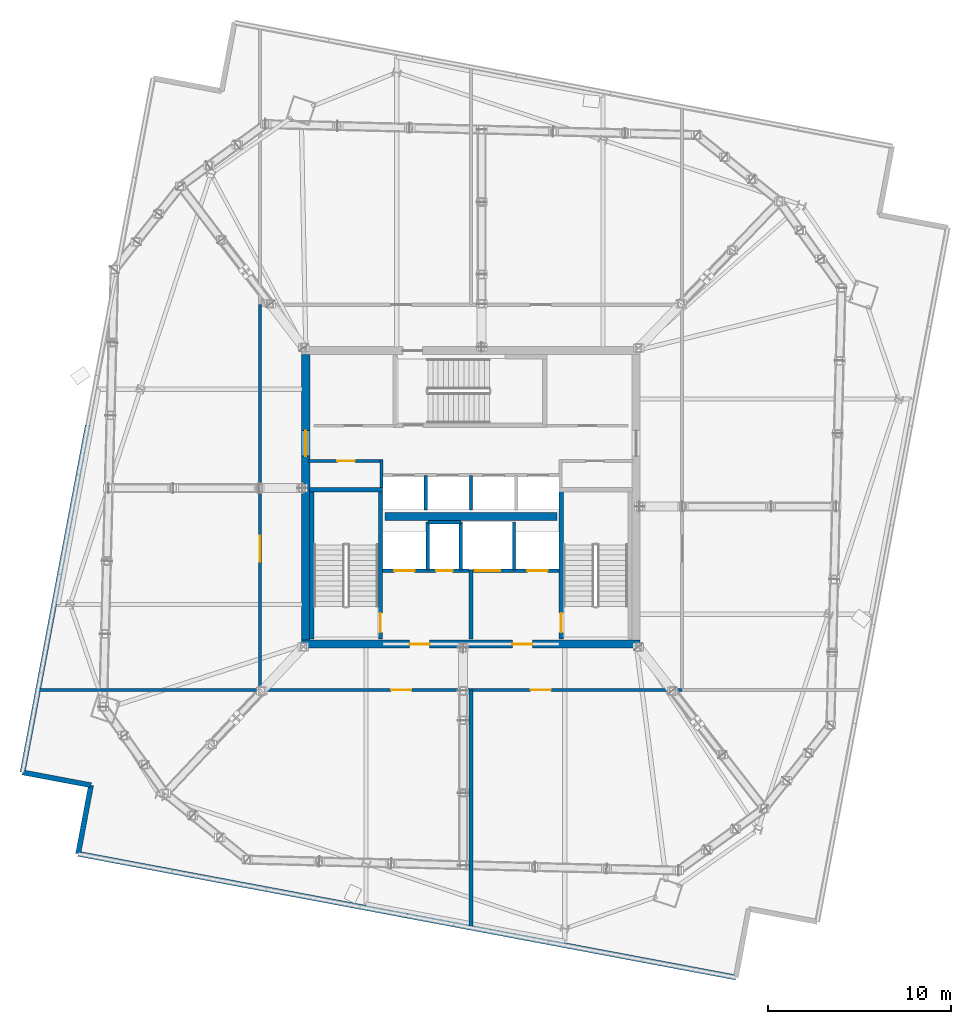
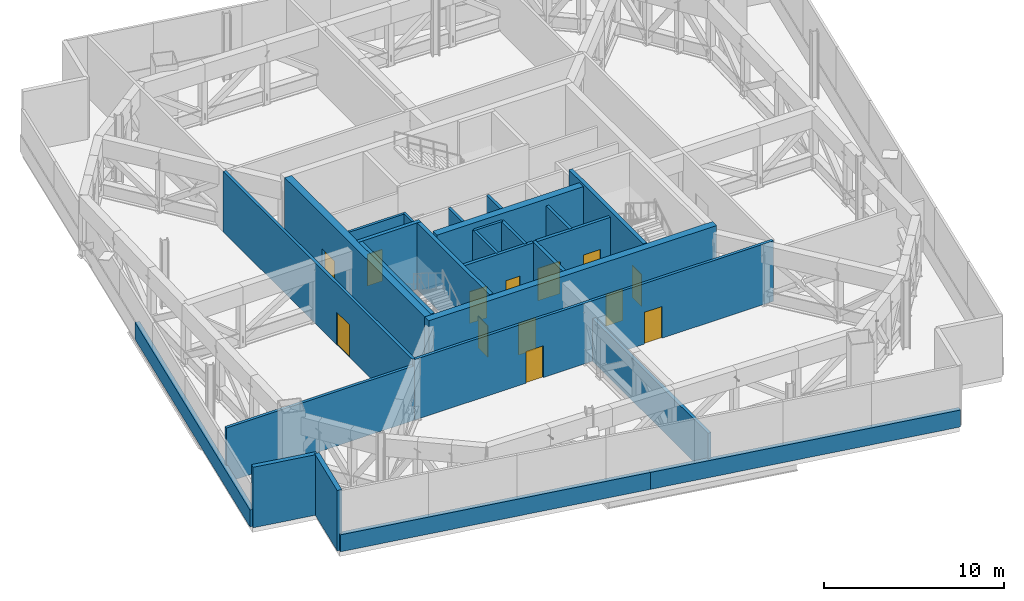
# One storey, part 10 of 15: 27 walls, 13 doors, 13 openings.
"""IFC4 building model written with IfcOpenShell, lengths in metres."""

from ifc_helpers import new_model, si_unit, direction, frame, frame_2d, origin, place, context, subcontext, project, spatial, rectangle, extrude, material, layer, layer_set, type_object, element, fill, save


model = new_model("IFC4")

# Units and contexts
model_context = context("Model", 3, precision=1e-05, world=origin(), true_north=direction((0.0, 1.0)))
body_context = subcontext(model_context, "Body", "Model", "MODEL_VIEW")
ifc_project = project(units=[si_unit("LENGTHUNIT", "METRE"), si_unit("AREAUNIT", "SQUARE_METRE"), si_unit("VOLUMEUNIT", "CUBIC_METRE"), si_unit("PLANEANGLEUNIT", "RADIAN"), si_unit("MASSUNIT", "GRAM", prefix="KILO")], contexts=[model_context])

# Site, building, storey
site_placement = place(None, origin())
site = spatial("IfcSite", under=ifc_project, at=site_placement, CompositionType="ELEMENT")
building_placement = place(site_placement, origin())
building = spatial("IfcBuilding", under=site, at=building_placement, Name="Haldenkirk Collegiate Tower", CompositionType="ELEMENT")
storey_placement = place(building_placement, frame((0.0, 0.0, 293.699951171875)))
storey = spatial("IfcBuildingStorey", under=building, at=storey_placement, Name="L74", CompositionType="ELEMENT", Elevation=293.699951171875)

# Wall, openings, doors
ifc_material_1 = material(Name="Concrete f'c 55 MPa", Category="concrete")
ifc_layer_1 = layer(ifc_material_1, 0.449951171875)
ifc_layer_set_1 = layer_set([ifc_layer_1], Name="Concrete f'c 55 MPa")
wall_type_1 = type_object("IfcWallType", Name="WL-CORE-450", PredefinedType="SHEAR", material=ifc_layer_set_1)
wall_1_placement = place(storey_placement, frame((26.77490234375, 18.0, 0.0), z_axis=(0.0, 0.0, 1.0), x_axis=(1.0, 0.0, 0.0)))
wall_1 = element("IfcWall", 1, at=wall_1_placement, inside=storey, type_object=wall_type_1, Name="L74 central core shear wall S", PredefinedType="SHEAR", context=body_context, shape_type="SweptSolid", body=[
    extrude(rectangle(XDim=18.4501953125, YDim=0.449951171875, at=frame_2d((9.22509765625, 0.0))), origin(), (0.0, 0.0, 1.0), 4.5),
])
opening_1_placement = place(wall_1_placement, frame((5.875, 0.0, 0.0)))
opening_1 = element("IfcOpeningElement", 2, at=opening_1_placement, cuts=wall_1, Name="Opening D-02", PredefinedType="OPENING", context=body_context, shape_type="SweptSolid", body=[
    extrude(rectangle(XDim=1.10009765625, YDim=2.14990234375, at=frame_2d((0.550048828125, 1.074951171875))), frame((0.0, 0.23486328125, 0.0), z_axis=(0.0, -1.0, 0.0), x_axis=(1.0, 0.0, 0.0)), (0.0, 0.0, 1.0), 0.469970703125),
])
opening_2_placement = place(wall_1_placement, frame((11.47509765625, 0.0, 0.0)))
opening_2 = element("IfcOpeningElement", 3, at=opening_2_placement, cuts=wall_1, Name="Opening D-02", PredefinedType="OPENING", context=body_context, shape_type="SweptSolid", body=[
    extrude(rectangle(XDim=1.10009765625, YDim=2.14990234375, at=frame_2d((0.550048828125, 1.074951171875))), frame((0.0, 0.23486328125, 0.0), z_axis=(0.0, -1.0, 0.0), x_axis=(1.0, 0.0, 0.0)), (0.0, 0.0, 1.0), 0.469970703125),
])
ifc_material_2 = material(Name="Galvanized fire-rated hollow steel door", Category="steel")
ifc_layer_2 = layer(ifc_material_2, 0.06005859375)
ifc_layer_set_2 = layer_set([ifc_layer_2], Name="Galvanized fire-rated hollow steel door")
door_type_1 = type_object("IfcDoorType", Name="DR-STAIR-FD90-1100", OperationType="NOTDEFINED", PredefinedType="DOOR", material=ifc_layer_set_2)
door_1_placement = place(opening_1_placement, origin())
door_1 = element("IfcDoor", 4, at=door_1_placement, inside=storey, type_object=door_type_1, Name="L74 Firefighting Lobby 1 door", OperationType="SINGLE_SWING_RIGHT", OverallHeight=2.14990234375, OverallWidth=1.10009765625, PredefinedType="DOOR", context=body_context, shape_type="SweptSolid", body=[
    extrude(rectangle(XDim=1.10009765625, YDim=2.14990234375, at=frame_2d((0.550048828125, 1.074951171875))), frame((0.0, 0.02490234375, 0.0), z_axis=(0.0, -1.0, 0.0), x_axis=(1.0, 0.0, 0.0)), (0.0, 0.0, 1.0), 0.050048828125),
])
fill(opening_1, door_1)
door_2_placement = place(opening_2_placement, origin())
door_2 = element("IfcDoor", 5, at=door_2_placement, inside=storey, type_object=door_type_1, Name="L74 Firefighting Lobby 2 door", OperationType="SINGLE_SWING_LEFT", OverallHeight=2.14990234375, OverallWidth=1.10009765625, PredefinedType="DOOR", context=body_context, shape_type="SweptSolid", body=[
    extrude(rectangle(XDim=1.10009765625, YDim=2.14990234375, at=frame_2d((0.550048828125, 1.074951171875))), frame((0.0, 0.02490234375, 0.0), z_axis=(0.0, -1.0, 0.0), x_axis=(1.0, 0.0, 0.0)), (0.0, 0.0, 1.0), 0.050048828125),
])
fill(opening_2, door_2)

# Wall, opening, door
wall_2_placement = place(storey_placement, frame((27.0, 18.22509765625, 0.0), z_axis=(0.0, 0.0, 1.0), x_axis=(0.0, 1.0, 0.0)))
wall_2 = element("IfcWall", 6, at=wall_2_placement, inside=storey, type_object=wall_type_1, Name="L74 central core shear wall W", PredefinedType="SHEAR", context=body_context, shape_type="SweptSolid", body=[
    extrude(rectangle(XDim=15.5498046875, YDim=0.449951171875, at=frame_2d((7.77490234375, 0.0))), origin(), (0.0, 0.0, 1.0), 4.5),
])
opening_3_placement = place(wall_2_placement, frame((10.014892578125, 0.0, 0.0)))
opening_3 = element("IfcOpeningElement", 7, at=opening_3_placement, cuts=wall_2, Name="Opening D-03", PredefinedType="OPENING", context=body_context, shape_type="SweptSolid", body=[
    extrude(rectangle(XDim=1.39990234375, YDim=2.199951171875, at=frame_2d((0.699951171875, 1.10009765625))), frame((0.0, 0.23486328125, 0.0), z_axis=(0.0, -1.0, 0.0), x_axis=(1.0, 0.0, 0.0)), (0.0, 0.0, 1.0), 0.469970703125),
])
ifc_layer_3 = layer(ifc_material_2, 0.06005859375)
ifc_layer_set_3 = layer_set([ifc_layer_3], Name="Galvanized fire-rated hollow steel door")
door_type_2 = type_object("IfcDoorType", Name="DR-LOBBY-FD90-1400", OperationType="NOTDEFINED", PredefinedType="DOOR", material=ifc_layer_set_3)
door_3_placement = place(opening_3_placement, origin())
door_3 = element("IfcDoor", 8, at=door_3_placement, inside=storey, type_object=door_type_2, Name="L74 west lift lobby portal", OperationType="DOUBLE_DOOR_SINGLE_SWING", OverallHeight=2.199951171875, OverallWidth=1.39990234375, PredefinedType="DOOR", context=body_context, shape_type="SweptSolid", body=[
    extrude(rectangle(XDim=1.39990234375, YDim=2.199951171875, at=frame_2d((0.699951171875, 1.10009765625))), frame((0.0, 0.02490234375, 0.0), z_axis=(0.0, -1.0, 0.0), x_axis=(1.0, 0.0, 0.0)), (0.0, 0.0, 1.0), 0.050048828125),
])
fill(opening_3, door_3)

# Walls
wall_3_placement = place(storey_placement, frame((31.31005859375, 24.949951171875, 0.0), z_axis=(0.0, 0.0, 1.0), x_axis=(1.0, 0.0, 0.0)))
element("IfcWall", 9, at=wall_3_placement, inside=storey, type_object=wall_type_1, Name="L74 central core spine shear wall", PredefinedType="SHEAR", context=body_context, shape_type="SweptSolid", body=[
    extrude(rectangle(XDim=9.3798828125, YDim=0.449951171875, at=frame_2d((4.68994140625, 0.0))), origin(), (0.0, 0.0, 1.0), 4.5),
])
ifc_material_3 = material(Name="Precast concrete f'c 40 MPa", Category="concrete")
ifc_layer_4 = layer(ifc_material_3, 0.280029296875)
ifc_layer_set_4 = layer_set([ifc_layer_4], Name="Precast concrete f'c 40 MPa")
wall_type_2 = type_object("IfcWallType", Name="WL-EXT-PLT-280", PredefinedType="STANDARD", material=ifc_layer_set_4)
wall_4_placement = place(storey_placement, frame((11.55859375, 11.0087890625, 0.0), z_axis=(0.0, 0.0, 1.0), x_axis=(0.184810744713, 0.982774129003, 0.0)))
element("IfcWall", 10, at=wall_4_placement, inside=storey, type_object=wall_type_2, Name="L74 plant room precast spandrel 07A", PredefinedType="STANDARD", context=body_context, shape_type="SweptSolid", body=[
    extrude(rectangle(XDim=19.25, YDim=0.280029296875, at=frame_2d((9.625, 0.0))), origin(), (0.0, 0.0, 1.0), 1.150146484375),
])
for number, where, z_axis, x_axis, name in (
    (11, (15.29296875, 10.306396484375, 0.0), (0.0, 0.0, 1.0), (-0.982767288646, 0.184847116202, 0.0), "L74 plant corner precast wall 08"),
    (12, (14.5908203125, 6.572021484375, 0.0), (0.0, 0.0, 1.0), (0.184785060465, 0.982778958581, 0.0), "L74 plant corner precast wall 09"),
):
    element("IfcWall", number, at=place(storey_placement, frame(where, z_axis=z_axis, x_axis=x_axis)), inside=storey, type_object=wall_type_2, Name=name, PredefinedType="STANDARD", context=body_context, shape_type="SweptSolid", body=[
        extrude(rectangle(XDim=3.7998046875, YDim=0.280029296875, at=frame_2d((1.89990234375, 0.0))), origin(), (0.0, 0.0, 1.0), 4.10009765625),
    ])
wall_5_placement = place(storey_placement, frame((50.4375, -0.1689453125, 0.0), z_axis=(0.0, 0.0, 1.0), x_axis=(-0.982773389766, 0.184814675735, 0.0)))
element("IfcWall", 13, at=wall_5_placement, inside=storey, type_object=wall_type_2, Name="L74 plant room precast spandrel 10A", PredefinedType="STANDARD", context=body_context, shape_type="SweptSolid", body=[
    extrude(rectangle(XDim=18.23779296875, YDim=0.280029296875, at=frame_2d((9.118896484375, 0.0))), origin(), (0.0, 0.0, 1.0), 1.150146484375),
])
wall_6_placement = place(storey_placement, frame((32.513916015625, 3.20166015625, 0.0), z_axis=(0.0, 0.0, 1.0), x_axis=(-0.982774906714, 0.184806609009, 0.0)))
element("IfcWall", 14, at=wall_6_placement, inside=storey, type_object=wall_type_2, Name="L74 plant room precast spandrel 10B", PredefinedType="STANDARD", context=body_context, shape_type="SweptSolid", body=[
    extrude(rectangle(XDim=18.2373046875, YDim=0.280029296875, at=frame_2d((9.11865234375, 0.0))), origin(), (0.0, 0.0, 1.0), 1.150146484375),
])

# Wall, opening, door
ifc_material_4 = material(Name="Acoustic fire-rated gypsum partition", Category="concrete")
ifc_layer_5 = layer(ifc_material_4, 0.159912109375)
ifc_layer_set_5 = layer_set([ifc_layer_5], Name="Acoustic fire-rated gypsum partition")
wall_type_3 = type_object("IfcWallType", Name="WL-INT-CORR-160", PredefinedType="PARTITIONING", material=ifc_layer_set_5)
wall_7_placement = place(storey_placement, frame((27.14990234375, 27.97998046875, 0.0), z_axis=(0.0, 0.0, 1.0), x_axis=(1.0, 0.0, 0.0)))
wall_7 = element("IfcWall", 15, at=wall_7_placement, inside=storey, type_object=wall_type_3, Name="L74 interior partition IW-L74-VCSW-N", PredefinedType="PARTITIONING", context=body_context, shape_type="SweptSolid", body=[
    extrude(rectangle(XDim=4.050048828125, YDim=0.159912109375, at=frame_2d((2.02490234375, 0.0))), origin(), (0.0, 0.0, 1.0), 4.10009765625),
])
opening_4_placement = place(wall_7_placement, frame((1.574951171875, 0.0, 0.0)))
opening_4 = element("IfcOpeningElement", 16, at=opening_4_placement, cuts=wall_7, Name="Opening D-10", PredefinedType="OPENING", context=body_context, shape_type="SweptSolid", body=[
    extrude(rectangle(XDim=0.949951171875, YDim=2.14990234375, at=frame_2d((0.47509765625, 1.074951171875))), frame((0.0, 0.08984375, 0.0), z_axis=(0.0, -1.0, 0.0), x_axis=(1.0, 0.0, 0.0)), (0.0, 0.0, 1.0), 0.179931640625),
])
ifc_material_5 = material(Name="Solid-core architectural oak fire door", Category="wood")
ifc_layer_6 = layer(ifc_material_5, 0.06005859375)
ifc_layer_set_6 = layer_set([ifc_layer_6], Name="Solid-core architectural oak fire door")
door_type_3 = type_object("IfcDoorType", Name="DR-INT-FD60-950", OperationType="NOTDEFINED", PredefinedType="DOOR", material=ifc_layer_set_6)
door_4_placement = place(opening_4_placement, origin())
door_4 = element("IfcDoor", 17, at=door_4_placement, inside=storey, type_object=door_type_3, Name="L74 core electrical door", OperationType="SINGLE_SWING_LEFT", OverallHeight=2.14990234375, OverallWidth=0.949951171875, PredefinedType="DOOR", context=body_context, shape_type="SweptSolid", body=[
    extrude(rectangle(XDim=0.949951171875, YDim=2.14990234375, at=frame_2d((0.47509765625, 1.074951171875))), frame((0.0, 0.02490234375, 0.0), z_axis=(0.0, -1.0, 0.0), x_axis=(1.0, 0.0, 0.0)), (0.0, 0.0, 1.0), 0.050048828125),
])
fill(opening_4, door_4)

# Walls
wall_8_placement = place(storey_placement, frame((31.1201171875, 26.5400390625, 0.0), z_axis=(0.0, 0.0, 1.0), x_axis=(0.0, 1.0, 0.0)))
element("IfcWall", 18, at=wall_8_placement, inside=storey, type_object=wall_type_3, Name="L74 interior partition IW-L74-VCSW-E", PredefinedType="PARTITIONING", context=body_context, shape_type="SweptSolid", body=[
    extrude(rectangle(XDim=1.510009765625, YDim=0.159912109375, at=frame_2d((0.7548828125, 0.0))), origin(), (0.0, 0.0, 1.0), 4.10009765625),
])
ifc_material_6 = material(Name="Fire-rated gypsum shaftboard assembly", Category="concrete")
ifc_layer_7 = layer(ifc_material_6, 0.179931640625)
ifc_layer_set_7 = layer_set([ifc_layer_7], Name="Fire-rated gypsum shaftboard assembly")
wall_type_4 = type_object("IfcWallType", Name="WL-INT-SHAFT-180", PredefinedType="PARTITIONING", material=ifc_layer_set_7)
for number, where, z_axis, x_axis, name in (
    (19, (33.64990234375, 22.050048828125, 0.0), (0.0, 0.0, 1.0), (0.0, 1.0, 0.0), "L74 interior partition IW-L74-FL1E"),
    (20, (35.449951171875, 22.050048828125, 0.0), (0.0, 0.0, 1.0), (0.0, 1.0, 0.0), "L74 interior partition IW-L74-GL1W"),
):
    element("IfcWall", number, at=place(storey_placement, frame(where, z_axis=z_axis, x_axis=x_axis)), inside=storey, type_object=wall_type_4, Name=name, PredefinedType="PARTITIONING", context=body_context, shape_type="SweptSolid", body=[
        extrude(rectangle(XDim=2.599853515625, YDim=0.179931640625, at=frame_2d((1.2998046875, 0.0))), origin(), (0.0, 0.0, 1.0), 4.10009765625),
    ])
wall_9_placement = place(storey_placement, frame((33.64990234375, 24.64990234375, 0.0), z_axis=(0.0, 0.0, 1.0), x_axis=(1.0, 0.0, 0.0)))
element("IfcWall", 21, at=wall_9_placement, inside=storey, type_object=wall_type_4, Name="L74 interior partition IW-L74-RSRN", PredefinedType="PARTITIONING", context=body_context, shape_type="SweptSolid", body=[
    extrude(rectangle(XDim=1.800048828125, YDim=0.179931640625, at=frame_2d((0.89990234375, 0.0))), origin(), (0.0, 0.0, 1.0), 4.10009765625),
])
wall_10_placement = place(storey_placement, frame((38.35009765625, 22.050048828125, 0.0), z_axis=(0.0, 0.0, 1.0), x_axis=(0.0, 1.0, 0.0)))
element("IfcWall", 22, at=wall_10_placement, inside=storey, type_object=wall_type_4, Name="L74 interior partition IW-L74-GL1E", PredefinedType="PARTITIONING", context=body_context, shape_type="SweptSolid", body=[
    extrude(rectangle(XDim=2.599853515625, YDim=0.179931640625, at=frame_2d((1.2998046875, 0.0))), origin(), (0.0, 0.0, 1.0), 4.10009765625),
])
for number, where, z_axis, x_axis, name in (
    (23, (33.5400390625, 25.300048828125, 0.0), (0.0, 0.0, 1.0), (0.0, 1.0, 0.0), "L74 interior partition IW-L74-PHV1"),
    (24, (36.0, 25.300048828125, 0.0), (0.0, 0.0, 1.0), (0.0, 1.0, 0.0), "L74 interior partition IW-L74-PHV2"),
):
    element("IfcWall", number, at=place(storey_placement, frame(where, z_axis=z_axis, x_axis=x_axis)), inside=storey, type_object=wall_type_4, Name=name, PredefinedType="PARTITIONING", context=body_context, shape_type="SweptSolid", body=[
        extrude(rectangle(XDim=1.89990234375, YDim=0.179931640625, at=frame_2d((0.949951171875, 0.0))), origin(), (0.0, 0.0, 1.0), 4.10009765625),
    ])

# Wall, openings, doors
wall_11_placement = place(storey_placement, frame((24.5, 15.5, 0.0), z_axis=(0.0, 0.0, 1.0), x_axis=(1.0, 0.0, 0.0)))
wall_11 = element("IfcWall", 25, at=wall_11_placement, inside=storey, type_object=wall_type_4, Name="L74 interior partition IW-L74-CS", PredefinedType="PARTITIONING", context=body_context, shape_type="SweptSolid", body=[
    extrude(rectangle(XDim=23.0, YDim=0.179931640625, at=frame_2d((11.5, 0.0))), origin(), (0.0, 0.0, 1.0), 4.10009765625),
])
opening_5_placement = place(wall_11_placement, frame((7.14990234375, 0.0, 0.0)))
opening_5 = element("IfcOpeningElement", 26, at=opening_5_placement, cuts=wall_11, Name="Opening D-02", PredefinedType="OPENING", context=body_context, shape_type="SweptSolid", body=[
    extrude(rectangle(XDim=1.10009765625, YDim=2.14990234375, at=frame_2d((0.550048828125, 1.074951171875))), frame((0.0, 0.099853515625, 0.0), z_axis=(0.0, -1.0, 0.0), x_axis=(1.0, 0.0, 0.0)), (0.0, 0.0, 1.0), 0.199951171875),
])
opening_6_placement = place(wall_11_placement, frame((14.75, 0.0, 0.0)))
opening_6 = element("IfcOpeningElement", 27, at=opening_6_placement, cuts=wall_11, Name="Opening D-02", PredefinedType="OPENING", context=body_context, shape_type="SweptSolid", body=[
    extrude(rectangle(XDim=1.10009765625, YDim=2.14990234375, at=frame_2d((0.550048828125, 1.074951171875))), frame((0.0, 0.099853515625, 0.0), z_axis=(0.0, -1.0, 0.0), x_axis=(1.0, 0.0, 0.0)), (0.0, 0.0, 1.0), 0.199951171875),
])
door_5_placement = place(opening_5_placement, origin())
door_5 = element("IfcDoor", 28, at=door_5_placement, inside=storey, type_object=door_type_1, Name="L74 west refuge door", OperationType="SINGLE_SWING_LEFT", OverallHeight=2.14990234375, OverallWidth=1.10009765625, PredefinedType="DOOR", context=body_context, shape_type="SweptSolid", body=[
    extrude(rectangle(XDim=1.10009765625, YDim=2.14990234375, at=frame_2d((0.550048828125, 1.074951171875))), frame((0.0, 0.02490234375, 0.0), z_axis=(0.0, -1.0, 0.0), x_axis=(1.0, 0.0, 0.0)), (0.0, 0.0, 1.0), 0.050048828125),
])
fill(opening_5, door_5)
door_6_placement = place(opening_6_placement, origin())
door_6 = element("IfcDoor", 29, at=door_6_placement, inside=storey, type_object=door_type_1, Name="L74 east refuge door", OperationType="SINGLE_SWING_RIGHT", OverallHeight=2.14990234375, OverallWidth=1.10009765625, PredefinedType="DOOR", context=body_context, shape_type="SweptSolid", body=[
    extrude(rectangle(XDim=1.10009765625, YDim=2.14990234375, at=frame_2d((0.550048828125, 1.074951171875))), frame((0.0, 0.02490234375, 0.0), z_axis=(0.0, -1.0, 0.0), x_axis=(1.0, 0.0, 0.0)), (0.0, 0.0, 1.0), 0.050048828125),
])
fill(opening_6, door_6)

# Wall, opening, door
wall_12_placement = place(storey_placement, frame((24.5, 15.5, 0.0), z_axis=(0.0, 0.0, 1.0), x_axis=(0.0, 1.0, 0.0)))
wall_12 = element("IfcWall", 30, at=wall_12_placement, inside=storey, type_object=wall_type_4, Name="L74 interior partition IW-L74-CW", PredefinedType="PARTITIONING", context=body_context, shape_type="SweptSolid", body=[
    extrude(rectangle(XDim=21.0, YDim=0.179931640625, at=frame_2d((10.5, 0.0))), origin(), (0.0, 0.0, 1.0), 4.10009765625),
])
opening_7_placement = place(wall_12_placement, frame((7.0, 0.0, 0.0)))
opening_7 = element("IfcOpeningElement", 31, at=opening_7_placement, cuts=wall_12, Name="Opening D-03", PredefinedType="OPENING", context=body_context, shape_type="SweptSolid", body=[
    extrude(rectangle(XDim=1.39990234375, YDim=2.199951171875, at=frame_2d((0.699951171875, 1.10009765625))), frame((0.0, 0.099853515625, 0.0), z_axis=(0.0, -1.0, 0.0), x_axis=(1.0, 0.0, 0.0)), (0.0, 0.0, 1.0), 0.199951171875),
])
door_7_placement = place(opening_7_placement, origin())
door_7 = element("IfcDoor", 32, at=door_7_placement, inside=storey, type_object=door_type_2, Name="L74 west plant door", OperationType="DOUBLE_DOOR_SINGLE_SWING", OverallHeight=2.199951171875, OverallWidth=1.39990234375, PredefinedType="DOOR", context=body_context, shape_type="SweptSolid", body=[
    extrude(rectangle(XDim=1.39990234375, YDim=2.199951171875, at=frame_2d((0.699951171875, 1.10009765625))), frame((0.0, 0.02490234375, 0.0), z_axis=(0.0, -1.0, 0.0), x_axis=(1.0, 0.0, 0.0)), (0.0, 0.0, 1.0), 0.050048828125),
])
fill(opening_7, door_7)

# Walls
wall_13_placement = place(storey_placement, frame((12.44384765625, 15.5, 0.0), z_axis=(0.0, 0.0, 1.0), x_axis=(1.0, 0.0, 0.0)))
element("IfcWall", 33, at=wall_13_placement, inside=storey, type_object=wall_type_4, Name="L74 interior partition IW-L74-PLTW", PredefinedType="PARTITIONING", context=body_context, shape_type="SweptSolid", body=[
    extrude(rectangle(XDim=12.05615234375, YDim=0.179931640625, at=frame_2d((6.028076171875, 0.0))), origin(), (0.0, 0.0, 1.0), 3.68896484375),
])
ifc_layer_8 = layer(ifc_material_6, 0.199951171875)
ifc_layer_set_8 = layer_set([ifc_layer_8], Name="Fire-rated gypsum shaftboard assembly")
wall_type_5 = type_object("IfcWallType", Name="WL-INT-SHAFT-200", PredefinedType="PARTITIONING", material=ifc_layer_set_8)
wall_14_placement = place(storey_placement, frame((36.0, 18.280029296875, 0.0), z_axis=(0.0, 0.0, 1.0), x_axis=(0.0, 1.0, 0.0)))
element("IfcWall", 34, at=wall_14_placement, inside=storey, type_object=wall_type_5, Name="L74 interior partition IW-L74-FFLM", PredefinedType="PARTITIONING", context=body_context, shape_type="SweptSolid", body=[
    extrude(rectangle(XDim=3.77001953125, YDim=0.199951171875, at=frame_2d((1.885009765625, 0.0))), origin(), (0.0, 0.0, 1.0), 4.10009765625),
])

# Wall, openings, doors
wall_15_placement = place(storey_placement, frame((31.18994140625, 22.0, 0.0), z_axis=(0.0, 0.0, 1.0), x_axis=(1.0, 0.0, 0.0)))
wall_15 = element("IfcWall", 35, at=wall_15_placement, inside=storey, type_object=wall_type_5, Name="L74 interior partition IW-L74-FFL1N", PredefinedType="PARTITIONING", context=body_context, shape_type="SweptSolid", body=[
    extrude(rectangle(XDim=4.68994140625, YDim=0.199951171875, at=frame_2d((2.344970703125, 0.0))), origin(), (0.0, 0.0, 1.0), 4.10009765625),
])
opening_8_placement = place(wall_15_placement, frame((2.909912109375, 0.0, 0.0)))
opening_8 = element("IfcOpeningElement", 36, at=opening_8_placement, cuts=wall_15, Name="Opening D-06", PredefinedType="OPENING", context=body_context, shape_type="SweptSolid", body=[
    extrude(rectangle(XDim=0.89990234375, YDim=2.14990234375, at=frame_2d((0.449951171875, 1.074951171875))), frame((0.0, 0.10986328125, 0.0), z_axis=(0.0, -1.0, 0.0), x_axis=(1.0, 0.0, 0.0)), (0.0, 0.0, 1.0), 0.219970703125),
])
opening_9_placement = place(wall_15_placement, frame((0.635009765625, 0.0, 0.0)))
opening_9 = element("IfcOpeningElement", 37, at=opening_9_placement, cuts=wall_15, Name="Opening LD-12", PredefinedType="OPENING", context=body_context, shape_type="SweptSolid", body=[
    extrude(rectangle(XDim=1.10009765625, YDim=2.14990234375, at=frame_2d((0.550048828125, 1.074951171875))), frame((0.0, 0.10986328125, 0.0), z_axis=(0.0, -1.0, 0.0), x_axis=(1.0, 0.0, 0.0)), (0.0, 0.0, 1.0), 0.219970703125),
])
ifc_layer_9 = layer(ifc_material_2, 0.06005859375)
ifc_layer_set_9 = layer_set([ifc_layer_9], Name="Galvanized fire-rated hollow steel door")
door_type_4 = type_object("IfcDoorType", Name="DR-INT-FD90-900", OperationType="NOTDEFINED", PredefinedType="DOOR", material=ifc_layer_set_9)
door_8_placement = place(opening_8_placement, origin())
door_8 = element("IfcDoor", 38, at=door_8_placement, inside=storey, type_object=door_type_4, Name="L74 electrical riser door", OperationType="SINGLE_SWING_RIGHT", OverallHeight=2.14990234375, OverallWidth=0.89990234375, PredefinedType="DOOR", context=body_context, shape_type="SweptSolid", body=[
    extrude(rectangle(XDim=0.89990234375, YDim=2.14990234375, at=frame_2d((0.449951171875, 1.074951171875))), frame((0.0, 0.02490234375, 0.0), z_axis=(0.0, -1.0, 0.0), x_axis=(1.0, 0.0, 0.0)), (0.0, 0.0, 1.0), 0.050048828125),
])
fill(opening_8, door_8)
ifc_material_7 = material(Name="Brushed architectural stainless steel", Category="steel")
ifc_layer_10 = layer(ifc_material_7, 0.06005859375)
ifc_layer_set_10 = layer_set([ifc_layer_10], Name="Brushed architectural stainless steel")
door_type_5 = type_object("IfcDoorType", Name="LD-FIRE-1100", OperationType="NOTDEFINED", PredefinedType="DOOR", material=ifc_layer_set_10)
door_9_placement = place(opening_9_placement, origin())
door_9 = element("IfcDoor", 39, at=door_9_placement, inside=storey, type_object=door_type_5, Name="L74 Elevator FL1 sliding landing door", OperationType="SLIDING_TO_LEFT", OverallHeight=2.14990234375, OverallWidth=1.10009765625, PredefinedType="DOOR", context=body_context, shape_type="SweptSolid", body=[
    extrude(rectangle(XDim=1.10009765625, YDim=2.14990234375, at=frame_2d((0.550048828125, 1.074951171875))), frame((0.0, 0.02490234375, 0.0), z_axis=(0.0, -1.0, 0.0), x_axis=(1.0, 0.0, 0.0)), (0.0, 0.0, 1.0), 0.050048828125),
])
fill(opening_9, door_9)

wall_16_placement = place(storey_placement, frame((36.1201171875, 22.0, 0.0), z_axis=(0.0, 0.0, 1.0), x_axis=(1.0, 0.0, 0.0)))
wall_16 = element("IfcWall", 40, at=wall_16_placement, inside=storey, type_object=wall_type_5, Name="L74 interior partition IW-L74-FFL2N", PredefinedType="PARTITIONING", context=body_context, shape_type="SweptSolid", body=[
    extrude(rectangle(XDim=4.68994140625, YDim=0.199951171875, at=frame_2d((2.344970703125, 0.0))), origin(), (0.0, 0.0, 1.0), 4.10009765625),
])
opening_10_placement = place(wall_16_placement, frame((2.955078125, 0.0, 0.0)))
opening_10 = element("IfcOpeningElement", 41, at=opening_10_placement, cuts=wall_16, Name="Opening LD-12", PredefinedType="OPENING", context=body_context, shape_type="SweptSolid", body=[
    extrude(rectangle(XDim=1.10009765625, YDim=2.14990234375, at=frame_2d((0.550048828125, 1.074951171875))), frame((0.0, 0.10986328125, 0.0), z_axis=(0.0, -1.0, 0.0), x_axis=(1.0, 0.0, 0.0)), (0.0, 0.0, 1.0), 0.219970703125),
])
opening_11_placement = place(wall_16_placement, frame((0.080078125, 0.0, 0.0)))
opening_11 = element("IfcOpeningElement", 42, at=opening_11_placement, cuts=wall_16, Name="Opening LD-13", PredefinedType="OPENING", context=body_context, shape_type="SweptSolid", body=[
    extrude(rectangle(XDim=1.39990234375, YDim=2.199951171875, at=frame_2d((0.699951171875, 1.10009765625))), frame((0.0, 0.10986328125, 0.0), z_axis=(0.0, -1.0, 0.0), x_axis=(1.0, 0.0, 0.0)), (0.0, 0.0, 1.0), 0.219970703125),
])
door_10_placement = place(opening_10_placement, origin())
door_10 = element("IfcDoor", 43, at=door_10_placement, inside=storey, type_object=door_type_5, Name="L74 Elevator FL2 sliding landing door", OperationType="SLIDING_TO_LEFT", OverallHeight=2.14990234375, OverallWidth=1.10009765625, PredefinedType="DOOR", context=body_context, shape_type="SweptSolid", body=[
    extrude(rectangle(XDim=1.10009765625, YDim=2.14990234375, at=frame_2d((0.550048828125, 1.074951171875))), frame((0.0, 0.02490234375, 0.0), z_axis=(0.0, -1.0, 0.0), x_axis=(1.0, 0.0, 0.0)), (0.0, 0.0, 1.0), 0.050048828125),
])
fill(opening_10, door_10)
ifc_layer_11 = layer(ifc_material_7, 0.06005859375)
ifc_layer_set_11 = layer_set([ifc_layer_11], Name="Brushed architectural stainless steel")
door_type_6 = type_object("IfcDoorType", Name="LD-GOODS-1400", OperationType="NOTDEFINED", PredefinedType="DOOR", material=ifc_layer_set_11)
door_11_placement = place(opening_11_placement, origin())
door_11 = element("IfcDoor", 44, at=door_11_placement, inside=storey, type_object=door_type_6, Name="L74 Elevator GL1 sliding landing door", OperationType="SLIDING_TO_LEFT", OverallHeight=2.199951171875, OverallWidth=1.39990234375, PredefinedType="DOOR", context=body_context, shape_type="SweptSolid", body=[
    extrude(rectangle(XDim=1.39990234375, YDim=2.199951171875, at=frame_2d((0.699951171875, 1.10009765625))), frame((0.0, 0.02490234375, 0.0), z_axis=(0.0, -1.0, 0.0), x_axis=(1.0, 0.0, 0.0)), (0.0, 0.0, 1.0), 0.050048828125),
])
fill(opening_11, door_11)

# Wall
wall_17_placement = place(storey_placement, frame((36.0, 2.586669921875, 0.0), z_axis=(0.0, 0.0, 1.0), x_axis=(0.0, 1.0, 0.0)))
element("IfcWall", 45, at=wall_17_placement, inside=storey, type_object=wall_type_5, Name="L74 interior partition IW-L74-REFS", PredefinedType="PARTITIONING", context=body_context, shape_type="SweptSolid", body=[
    extrude(rectangle(XDim=12.913330078125, YDim=0.199951171875, at=frame_2d((6.45654296875, 0.0))), origin(), (0.0, 0.0, 1.0), 2.89501953125),
])

# Wall, opening, door
ifc_layer_12 = layer(ifc_material_1, 0.239990234375)
ifc_layer_set_12 = layer_set([ifc_layer_12], Name="Concrete f'c 55 MPa")
wall_type_6 = type_object("IfcWallType", Name="WL-SHAFT-240", PredefinedType="SHEAR", material=ifc_layer_set_12)
wall_18_placement = place(storey_placement, frame((31.070068359375, 18.280029296875, 0.0), z_axis=(0.0, 0.0, 1.0), x_axis=(0.0, 1.0, 0.0)))
wall_18 = element("IfcWall", 46, at=wall_18_placement, inside=storey, type_object=wall_type_6, Name="L74 stair shaft shear wall SW-L74-ST1E", PredefinedType="SHEAR", context=body_context, shape_type="SweptSolid", body=[
    extrude(rectangle(XDim=8.260009765625, YDim=0.239990234375, at=frame_2d((4.1298828125, 0.0))), origin(), (0.0, 0.0, 1.0), 4.5),
])
opening_12_placement = place(wall_18_placement, frame((0.364990234375, 0.0, 0.0)))
opening_12 = element("IfcOpeningElement", 47, at=opening_12_placement, cuts=wall_18, Name="Opening D-01", PredefinedType="OPENING", context=body_context, shape_type="SweptSolid", body=[
    extrude(rectangle(XDim=1.050048828125, YDim=2.14990234375, at=frame_2d((0.52490234375, 1.074951171875))), frame((0.0, 0.1298828125, 0.0), z_axis=(0.0, -1.0, 0.0), x_axis=(1.0, 0.0, 0.0)), (0.0, 0.0, 1.0), 0.260009765625),
])
ifc_layer_13 = layer(ifc_material_2, 0.06005859375)
ifc_layer_set_13 = layer_set([ifc_layer_13], Name="Galvanized fire-rated hollow steel door")
door_type_7 = type_object("IfcDoorType", Name="DR-STAIR-FD90-1050", OperationType="NOTDEFINED", PredefinedType="DOOR", material=ifc_layer_set_13)
door_12_placement = place(opening_12_placement, origin())
door_12 = element("IfcDoor", 48, at=door_12_placement, inside=storey, type_object=door_type_7, Name="L74 Stair 1 door", OperationType="SINGLE_SWING_LEFT", OverallHeight=2.14990234375, OverallWidth=1.050048828125, PredefinedType="DOOR", context=body_context, shape_type="SweptSolid", body=[
    extrude(rectangle(XDim=1.050048828125, YDim=2.14990234375, at=frame_2d((0.52490234375, 1.074951171875))), frame((0.0, 0.02490234375, 0.0), z_axis=(0.0, -1.0, 0.0), x_axis=(1.0, 0.0, 0.0)), (0.0, 0.0, 1.0), 0.050048828125),
])
fill(opening_12, door_12)

# Walls
wall_19_placement = place(storey_placement, frame((27.2099609375, 26.419921875, 0.0), z_axis=(0.0, 0.0, 1.0), x_axis=(1.0, 0.0, 0.0)))
element("IfcWall", 49, at=wall_19_placement, inside=storey, type_object=wall_type_6, Name="L74 stair shaft shear wall SW-L74-ST1N", PredefinedType="SHEAR", context=body_context, shape_type="SweptSolid", body=[
    extrude(rectangle(XDim=3.97998046875, YDim=0.239990234375, at=frame_2d((1.989990234375, 0.0))), origin(), (0.0, 0.0, 1.0), 4.5),
])
wall_20_placement = place(storey_placement, frame((27.330078125, 18.280029296875, 0.0), z_axis=(0.0, 0.0, 1.0), x_axis=(0.0, 1.0, 0.0)))
element("IfcWall", 50, at=wall_20_placement, inside=storey, type_object=wall_type_6, Name="L74 stair shaft shear wall SW-L74-ST1W", PredefinedType="SHEAR", context=body_context, shape_type="SweptSolid", body=[
    extrude(rectangle(XDim=8.260009765625, YDim=0.239990234375, at=frame_2d((4.1298828125, 0.0))), origin(), (0.0, 0.0, 1.0), 4.5),
])

# Wall, opening, door
wall_21_placement = place(storey_placement, frame((40.929931640625, 18.280029296875, 0.0), z_axis=(0.0, 0.0, 1.0), x_axis=(0.0, 1.0, 0.0)))
wall_21 = element("IfcWall", 51, at=wall_21_placement, inside=storey, type_object=wall_type_6, Name="L74 stair shaft shear wall SW-L74-ST2W", PredefinedType="SHEAR", context=body_context, shape_type="SweptSolid", body=[
    extrude(rectangle(XDim=8.260009765625, YDim=0.239990234375, at=frame_2d((4.1298828125, 0.0))), origin(), (0.0, 0.0, 1.0), 4.5),
])
opening_13_placement = place(wall_21_placement, frame((0.364990234375, 0.0, 0.0)))
opening_13 = element("IfcOpeningElement", 52, at=opening_13_placement, cuts=wall_21, Name="Opening D-01", PredefinedType="OPENING", context=body_context, shape_type="SweptSolid", body=[
    extrude(rectangle(XDim=1.050048828125, YDim=2.14990234375, at=frame_2d((0.52490234375, 1.074951171875))), frame((0.0, 0.1298828125, 0.0), z_axis=(0.0, -1.0, 0.0), x_axis=(1.0, 0.0, 0.0)), (0.0, 0.0, 1.0), 0.260009765625),
])
door_13_placement = place(opening_13_placement, origin())
door_13 = element("IfcDoor", 53, at=door_13_placement, inside=storey, type_object=door_type_7, Name="L74 Stair 2 door", OperationType="SINGLE_SWING_RIGHT", OverallHeight=2.14990234375, OverallWidth=1.050048828125, PredefinedType="DOOR", context=body_context, shape_type="SweptSolid", body=[
    extrude(rectangle(XDim=1.050048828125, YDim=2.14990234375, at=frame_2d((0.52490234375, 1.074951171875))), frame((0.0, 0.02490234375, 0.0), z_axis=(0.0, -1.0, 0.0), x_axis=(1.0, 0.0, 0.0)), (0.0, 0.0, 1.0), 0.050048828125),
])
fill(opening_13, door_13)

save(model, "model.ifc")
